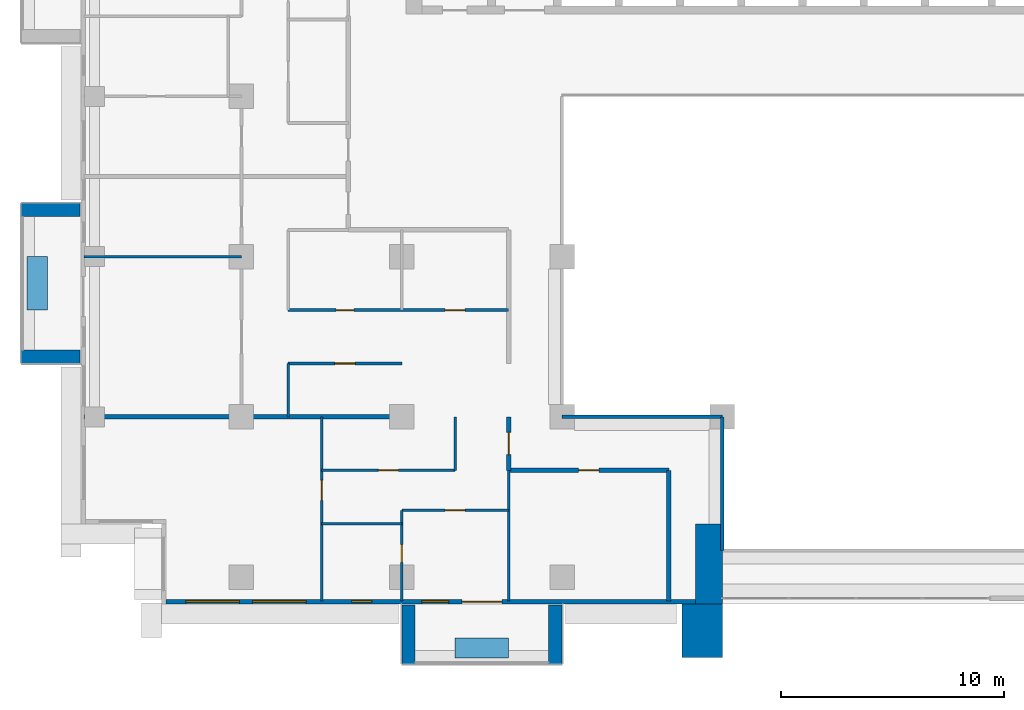
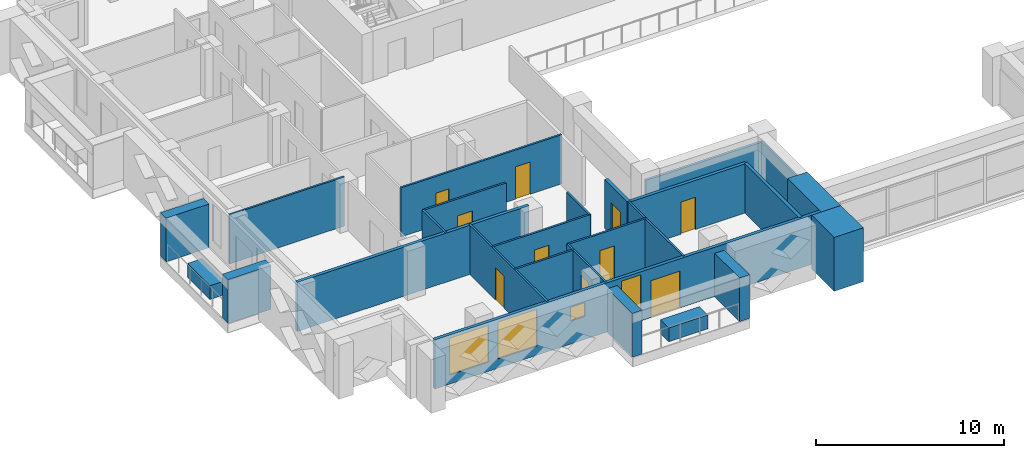
# One storey, part 6 of 20: 26 walls, 10 doors, 4 windows, 14 openings.
"""IFC4 building model written with IfcOpenShell, lengths in metres."""

from ifc_helpers import new_model, si_unit, direction, frame, frame_2d, origin, place, context, subcontext, project, spatial, rectangle, extrude, material, layer, layer_set, type_object, element, fill, save


model = new_model("IFC4")

# Units and contexts
model_context = context("Model", 3, precision=1e-05, world=origin(), true_north=direction((0.0, 1.0)))
body_context = subcontext(model_context, "Body", "Model", "MODEL_VIEW")
ifc_project = project(units=[si_unit("LENGTHUNIT", "METRE"), si_unit("AREAUNIT", "SQUARE_METRE"), si_unit("VOLUMEUNIT", "CUBIC_METRE"), si_unit("PLANEANGLEUNIT", "RADIAN"), si_unit("MASSUNIT", "GRAM", prefix="KILO")], contexts=[model_context])

# Site, building, storey
site_placement = place(None, origin())
site = spatial("IfcSite", under=ifc_project, at=site_placement, CompositionType="ELEMENT")
building_placement = place(site_placement, origin())
building = spatial("IfcBuilding", under=site, at=building_placement, Name="Saffron Iwan Residences", CompositionType="ELEMENT")
storey_placement = place(building_placement, frame((0.0, 0.0, 127.0)))
storey = spatial("IfcBuildingStorey", under=building, at=storey_placement, Name="L33", CompositionType="ELEMENT", Elevation=127.0)

# Walls
ifc_material_1 = material(Name="Fire-rated glazing", Category="glass")
ifc_layer_1 = layer(ifc_material_1, 0.14990234375)
ifc_layer_set_1 = layer_set([ifc_layer_1], Name="Fire-rated glazing")
wall_type_1 = type_object("IfcWallType", Name="Atrium glazed screen 150", PredefinedType="SOLIDWALL", material=ifc_layer_set_1)
wall_1_placement = place(storey_placement, frame((36.0, 48.0, 0.0), z_axis=(0.0, 0.0, 1.0), x_axis=(1.0, 0.0, 0.0)))
element("IfcWall", 1, at=wall_1_placement, inside=storey, type_object=wall_type_1, Name="W-L33-SCREEN-h48-36", PredefinedType="SOLIDWALL", context=body_context, shape_type="SweptSolid", body=[
    extrude(rectangle(XDim=7.199951171875, YDim=0.14990234375, at=frame_2d((3.60009765625, 0.0))), origin(), (0.0, 0.0, 1.0), 2.300048828125),
])
wall_2_placement = place(storey_placement, frame((43.199951171875, 42.0, 0.0), z_axis=(0.0, 0.0, 1.0), x_axis=(0.0, 1.0, 0.0)))
element("IfcWall", 2, at=wall_2_placement, inside=storey, type_object=wall_type_1, Name="W-L33-SCREEN-v43.2-42", PredefinedType="SOLIDWALL", context=body_context, shape_type="SweptSolid", body=[
    extrude(rectangle(XDim=6.0, YDim=0.14990234375, at=frame_2d((3.0, 0.0))), origin(), (0.0, 0.0, 1.0), 2.300048828125),
])
ifc_material_2 = material(Name="Concrete C50/60 white painted", Category="concrete")
ifc_layer_2 = layer(ifc_material_2, 0.60009765625)
ifc_layer_set_2 = layer_set([ifc_layer_2], Name="Concrete C50/60 white painted")
wall_type_2 = type_object("IfcWallType", Name="BALCONY FIN 600", PredefinedType="SOLIDWALL", material=ifc_layer_set_2)
for number, where, z_axis, x_axis, name in (
    (3, (14.35009765625, 57.300048828125, 0.0), (0.0, 0.0, 1.0), (-1.0, 0.0, 0.0), "Balcony fin L33 F8-1a"),
    (4, (14.35009765625, 50.699951171875, 0.0), (0.0, 0.0, 1.0), (-1.0, 0.0, 0.0), "Balcony fin L33 F8-1b"),
    (5, (29.10009765625, 39.550048828125, 0.0), (0.0, 0.0, 1.0), (0.0, -1.0, 0.0), "Balcony fin L33 11-0a"),
    (6, (35.699951171875, 39.550048828125, 0.0), (0.0, 0.0, 1.0), (0.0, -1.0, 0.0), "Balcony fin L33 11-0b"),
):
    element("IfcWall", number, at=place(storey_placement, frame(where, z_axis=z_axis, x_axis=x_axis)), inside=storey, type_object=wall_type_2, Name=name, PredefinedType="SOLIDWALL", context=body_context, shape_type="SweptSolid", body=[
        extrude(rectangle(XDim=2.650146484375, YDim=0.60009765625, at=frame_2d((1.3251953125, 0.0))), origin(), (0.0, 0.0, 1.0), 2.85009765625),
    ])
ifc_material_3 = material(Name="Concrete C35/45 white painted", Category="concrete")
ifc_layer_3 = layer(ifc_material_3, 0.14990234375)
ifc_layer_set_3 = layer_set([ifc_layer_3], Name="Concrete C35/45 white painted")
wall_type_3 = type_object("IfcWallType", Name="BALCONY PLANTER", PredefinedType="SOLIDWALL", material=ifc_layer_set_3)
wall_3_placement = place(storey_placement, frame((12.425048828125, 55.199951171875, 0.0), z_axis=(0.0, 0.0, 1.0), x_axis=(0.0, -1.0, 0.0)))
element("IfcWall", 7, at=wall_3_placement, inside=storey, type_object=wall_type_3, Name="PLANTER L33 F8-1", PredefinedType="SOLIDWALL", context=body_context, shape_type="SweptSolid", body=[
    extrude(rectangle(XDim=2.39990234375, YDim=0.89990234375, at=frame_2d((1.199951171875, 0.0))), origin(), (0.0, 0.0, 1.0), 0.89990234375),
])
wall_4_placement = place(storey_placement, frame((31.199951171875, 37.625, 0.0), z_axis=(0.0, 0.0, 1.0), x_axis=(1.0, 0.0, 0.0)))
element("IfcWall", 8, at=wall_4_placement, inside=storey, type_object=wall_type_3, Name="PLANTER L33 11-0", PredefinedType="SOLIDWALL", context=body_context, shape_type="SweptSolid", body=[
    extrude(rectangle(XDim=2.400146484375, YDim=0.89990234375, at=frame_2d((1.2001953125, 0.0))), origin(), (0.0, 0.0, 1.0), 0.89990234375),
])

# Wall, openings, door, windows
ifc_material_4 = material(Name="Concrete C40/50", Category="concrete")
ifc_layer_4 = layer(ifc_material_4, 0.199951171875)
ifc_layer_set_4 = layer_set([ifc_layer_4], Name="Concrete C40/50")
wall_type_4 = type_object("IfcWallType", Name="EXTERNAL WALL 200", PredefinedType="SOLIDWALL", material=ifc_layer_set_4)
wall_5_placement = place(storey_placement, frame((18.199951171875, 39.699951171875, 0.0), z_axis=(0.0, 0.0, 1.0), x_axis=(1.0, 0.0, 0.0)))
wall_5 = element("IfcWall", 9, at=wall_5_placement, inside=storey, type_object=wall_type_4, Name="External wall L33 F11.0", PredefinedType="SOLIDWALL", context=body_context, shape_type="SweptSolid", body=[
    extrude(rectangle(XDim=23.800048828125, YDim=0.199951171875, at=frame_2d((11.89990234375, 0.0))), origin(), (0.0, 0.0, 1.0), 3.199951171875),
])
opening_1_placement = place(wall_5_placement, frame((13.300048828125, 0.0, 0.0)))
opening_1 = element("IfcOpeningElement", 10, at=opening_1_placement, cuts=wall_5, Name="Opening BD1", PredefinedType="OPENING", context=body_context, shape_type="SweptSolid", body=[
    extrude(rectangle(XDim=1.800048828125, YDim=2.39990234375, at=frame_2d((0.89990234375, 1.199951171875))), frame((0.0, 0.10986328125, 0.0), z_axis=(0.0, -1.0, 0.0), x_axis=(1.0, 0.0, 0.0)), (0.0, 0.0, 1.0), 0.219970703125),
])
opening_2_placement = place(wall_5_placement, frame((0.89990234375, 0.0, 0.60009765625)))
opening_2 = element("IfcOpeningElement", 11, at=opening_2_placement, cuts=wall_5, Name="Opening W1", PredefinedType="OPENING", context=body_context, shape_type="SweptSolid", body=[
    extrude(rectangle(XDim=2.39990234375, YDim=2.39990234375, at=frame_2d((1.199951171875, 1.199951171875))), frame((0.0, 0.10986328125, 0.0), z_axis=(0.0, -1.0, 0.0), x_axis=(1.0, 0.0, 0.0)), (0.0, 0.0, 1.0), 0.219970703125),
])
opening_3_placement = place(wall_5_placement, frame((3.89990234375, 0.0, 0.60009765625)))
opening_3 = element("IfcOpeningElement", 12, at=opening_3_placement, cuts=wall_5, Name="Opening W1", PredefinedType="OPENING", context=body_context, shape_type="SweptSolid", body=[
    extrude(rectangle(XDim=2.39990234375, YDim=2.39990234375, at=frame_2d((1.199951171875, 1.199951171875))), frame((0.0, 0.10986328125, 0.0), z_axis=(0.0, -1.0, 0.0), x_axis=(1.0, 0.0, 0.0)), (0.0, 0.0, 1.0), 0.219970703125),
])
opening_4_placement = place(wall_5_placement, frame((11.5, 0.0, 0.60009765625)))
opening_4 = element("IfcOpeningElement", 13, at=opening_4_placement, cuts=wall_5, Name="Opening W3", PredefinedType="OPENING", context=body_context, shape_type="SweptSolid", body=[
    extrude(rectangle(XDim=1.199951171875, YDim=2.39990234375, at=frame_2d((0.60009765625, 1.199951171875))), frame((0.0, 0.10986328125, 0.0), z_axis=(0.0, -1.0, 0.0), x_axis=(1.0, 0.0, 0.0)), (0.0, 0.0, 1.0), 0.219970703125),
])
opening_5_placement = place(wall_5_placement, frame((8.35009765625, 0.0, 1.5)))
opening_5 = element("IfcOpeningElement", 14, at=opening_5_placement, cuts=wall_5, Name="Opening W6", PredefinedType="OPENING", context=body_context, shape_type="SweptSolid", body=[
    extrude(rectangle(XDim=0.89990234375, YDim=0.89990234375, at=frame_2d((0.449951171875, 0.449951171875))), frame((0.0, 0.10986328125, 0.0), z_axis=(0.0, -1.0, 0.0), x_axis=(1.0, 0.0, 0.0)), (0.0, 0.0, 1.0), 0.219970703125),
])
ifc_material_5 = material(Name="Clear glass, laminated double glazed", Category="glass")
door_type_1 = type_object("IfcDoorType", Name="BALCONY DOOR 1800 x 2400", OperationType="DOUBLE_DOOR_SLIDING", PredefinedType="DOOR", material=ifc_material_5)
door_1_placement = place(opening_1_placement, origin())
door_1 = element("IfcDoor", 15, at=door_1_placement, inside=storey, type_object=door_type_1, Name="Balcony door L33 F11.0", OperationType="DOUBLE_DOOR_SLIDING", OverallHeight=2.39990234375, OverallWidth=1.800048828125, PredefinedType="DOOR", context=body_context, shape_type="SweptSolid", body=[
    extrude(rectangle(XDim=1.800048828125, YDim=2.39990234375, at=frame_2d((0.89990234375, 1.199951171875))), frame((0.0, 0.02490234375, 0.0), z_axis=(0.0, -1.0, 0.0), x_axis=(1.0, 0.0, 0.0)), (0.0, 0.0, 1.0), 0.050048828125),
])
fill(opening_1, door_1)
window_type_1 = type_object("IfcWindowType", Name="WINDOW 1200 x 2400", PartitioningType="SINGLE_PANEL", PredefinedType="WINDOW", material=ifc_material_5)
window_1_placement = place(opening_4_placement, origin())
window_1 = element("IfcWindow", 16, at=window_1_placement, inside=storey, type_object=window_type_1, Name="Window L33 F11.3", OverallHeight=2.39990234375, OverallWidth=1.199951171875, PartitioningType="SINGLE_PANEL", PredefinedType="WINDOW", context=body_context, shape_type="SweptSolid", body=[
    extrude(rectangle(XDim=1.199951171875, YDim=2.39990234375, at=frame_2d((0.60009765625, 1.199951171875))), frame((0.0, 0.030029296875, 0.0), z_axis=(0.0, -1.0, 0.0), x_axis=(1.0, 0.0, 0.0)), (0.0, 0.0, 1.0), 0.06005859375),
])
fill(opening_4, window_1)
window_type_2 = type_object("IfcWindowType", Name="WINDOW 2400 x 2400", PartitioningType="DOUBLE_PANEL_VERTICAL", PredefinedType="WINDOW", material=ifc_material_5)
window_2_placement = place(opening_2_placement, origin())
window_2 = element("IfcWindow", 17, at=window_2_placement, inside=storey, type_object=window_type_2, Name="Window L33 F11.1", OverallHeight=2.39990234375, OverallWidth=2.39990234375, PartitioningType="DOUBLE_PANEL_VERTICAL", PredefinedType="WINDOW", context=body_context, shape_type="SweptSolid", body=[
    extrude(rectangle(XDim=2.39990234375, YDim=2.39990234375, at=frame_2d((1.199951171875, 1.199951171875))), frame((0.0, 0.030029296875, 0.0), z_axis=(0.0, -1.0, 0.0), x_axis=(1.0, 0.0, 0.0)), (0.0, 0.0, 1.0), 0.06005859375),
])
fill(opening_2, window_2)
window_3_placement = place(opening_3_placement, origin())
window_3 = element("IfcWindow", 18, at=window_3_placement, inside=storey, type_object=window_type_2, Name="Window L33 F11.2", OverallHeight=2.39990234375, OverallWidth=2.39990234375, PartitioningType="DOUBLE_PANEL_VERTICAL", PredefinedType="WINDOW", context=body_context, shape_type="SweptSolid", body=[
    extrude(rectangle(XDim=2.39990234375, YDim=2.39990234375, at=frame_2d((1.199951171875, 1.199951171875))), frame((0.0, 0.030029296875, 0.0), z_axis=(0.0, -1.0, 0.0), x_axis=(1.0, 0.0, 0.0)), (0.0, 0.0, 1.0), 0.06005859375),
])
fill(opening_3, window_3)
window_type_3 = type_object("IfcWindowType", Name="WINDOW 900 x 900 BATH", PartitioningType="SINGLE_PANEL", PredefinedType="WINDOW", material=ifc_material_5)
window_4_placement = place(opening_5_placement, origin())
window_4 = element("IfcWindow", 19, at=window_4_placement, inside=storey, type_object=window_type_3, Name="Window L33 F11.4", OverallHeight=0.89990234375, OverallWidth=0.89990234375, PartitioningType="SINGLE_PANEL", PredefinedType="WINDOW", context=body_context, shape_type="SweptSolid", body=[
    extrude(rectangle(XDim=0.89990234375, YDim=0.89990234375, at=frame_2d((0.449951171875, 0.449951171875))), frame((0.0, 0.030029296875, 0.0), z_axis=(0.0, -1.0, 0.0), x_axis=(1.0, 0.0, 0.0)), (0.0, 0.0, 1.0), 0.06005859375),
])
fill(opening_5, window_4)

# Walls
ifc_material_6 = material(Name="Fire-rated gypsum board wall")
ifc_layer_5 = layer(ifc_material_6, 0.199951171875)
ifc_layer_set_5 = layer_set([ifc_layer_5], Name="Fire-rated gypsum board wall")
wall_type_5 = type_object("IfcWallType", Name="Flat demising wall 200", PredefinedType="SOLIDWALL", material=ifc_layer_set_5)
wall_6_placement = place(storey_placement, frame((14.52490234375, 48.0, 0.0), z_axis=(0.0, 0.0, 1.0), x_axis=(1.0, 0.0, 0.0)))
element("IfcWall", 20, at=wall_6_placement, inside=storey, type_object=wall_type_5, Name="W-L33-DEMISE-h48-14.525", PredefinedType="SOLIDWALL", context=body_context, shape_type="SweptSolid", body=[
    extrude(rectangle(XDim=14.275146484375, YDim=0.199951171875, at=frame_2d((7.1376953125, 0.0))), origin(), (0.0, 0.0, 1.0), 3.199951171875),
])
ifc_material_7 = material(Name="Gypsum board partition")
ifc_layer_6 = layer(ifc_material_7, 0.1201171875)
ifc_layer_set_6 = layer_set([ifc_layer_6], Name="Gypsum board partition")
wall_type_6 = type_object("IfcWallType", Name="Flat partition 120", PredefinedType="PARTITIONING", material=ifc_layer_set_6)
wall_7_placement = place(storey_placement, frame((25.199951171875, 43.199951171875, 0.0), z_axis=(0.0, 0.0, 1.0), x_axis=(1.0, 0.0, 0.0)))
element("IfcWall", 21, at=wall_7_placement, inside=storey, type_object=wall_type_6, Name="W-L33-PART-h43.2-25.2", PredefinedType="PARTITIONING", context=body_context, shape_type="SweptSolid", body=[
    extrude(rectangle(XDim=3.60009765625, YDim=0.1201171875, at=frame_2d((1.800048828125, 0.0))), origin(), (0.0, 0.0, 1.0), 3.199951171875),
])

# Wall, opening, door
wall_8_placement = place(storey_placement, frame((28.800048828125, 43.800048828125, 0.0), z_axis=(0.0, 0.0, 1.0), x_axis=(1.0, 0.0, 0.0)))
wall_8 = element("IfcWall", 22, at=wall_8_placement, inside=storey, type_object=wall_type_6, Name="W-L33-PART-h43.8-28.8", PredefinedType="PARTITIONING", context=body_context, shape_type="SweptSolid", body=[
    extrude(rectangle(XDim=4.800048828125, YDim=0.1201171875, at=frame_2d((2.39990234375, 0.0))), origin(), (0.0, 0.0, 1.0), 3.199951171875),
])
opening_6_placement = place(wall_8_placement, frame((1.949951171875, 0.0, 0.0)))
opening_6 = element("IfcOpeningElement", 23, at=opening_6_placement, cuts=wall_8, Name="Opening FD2", PredefinedType="OPENING", context=body_context, shape_type="SweptSolid", body=[
    extrude(rectangle(XDim=0.89990234375, YDim=2.10009765625, at=frame_2d((0.449951171875, 1.050048828125))), frame((0.0, 0.070068359375, 0.0), z_axis=(0.0, -1.0, 0.0), x_axis=(1.0, 0.0, 0.0)), (0.0, 0.0, 1.0), 0.14013671875),
])
ifc_material_8 = material(Name="Timber door", Category="wood")
door_type_2 = type_object("IfcDoorType", Name="Flat door 900", OperationType="NOTDEFINED", PredefinedType="DOOR", material=ifc_material_8)
door_2_placement = place(opening_6_placement, origin())
door_2 = element("IfcDoor", 24, at=door_2_placement, inside=storey, type_object=door_type_2, Name="Door L33-003", OperationType="SINGLE_SWING_LEFT", OverallHeight=2.10009765625, OverallWidth=0.89990234375, PredefinedType="DOOR", context=body_context, shape_type="SweptSolid", body=[
    extrude(rectangle(XDim=0.89990234375, YDim=2.10009765625, at=frame_2d((0.449951171875, 1.050048828125))), frame((0.0, 0.02490234375, 0.0), z_axis=(0.0, -1.0, 0.0), x_axis=(1.0, 0.0, 0.0)), (0.0, 0.0, 1.0), 0.050048828125),
])
fill(opening_6, door_2)

wall_9_placement = place(storey_placement, frame((25.199951171875, 45.60009765625, 0.0), z_axis=(0.0, 0.0, 1.0), x_axis=(1.0, 0.0, 0.0)))
wall_9 = element("IfcWall", 25, at=wall_9_placement, inside=storey, type_object=wall_type_6, Name="W-L33-PART-h45.6-25.2", PredefinedType="PARTITIONING", context=body_context, shape_type="SweptSolid", body=[
    extrude(rectangle(XDim=6.0, YDim=0.1201171875, at=frame_2d((3.0, 0.0))), origin(), (0.0, 0.0, 1.0), 3.199951171875),
])
opening_7_placement = place(wall_9_placement, frame((2.550048828125, 0.0, 0.0)))
opening_7 = element("IfcOpeningElement", 26, at=opening_7_placement, cuts=wall_9, Name="Opening FD2", PredefinedType="OPENING", context=body_context, shape_type="SweptSolid", body=[
    extrude(rectangle(XDim=0.89990234375, YDim=2.10009765625, at=frame_2d((0.449951171875, 1.050048828125))), frame((0.0, 0.070068359375, 0.0), z_axis=(0.0, -1.0, 0.0), x_axis=(1.0, 0.0, 0.0)), (0.0, 0.0, 1.0), 0.14013671875),
])
door_3_placement = place(opening_7_placement, origin())
door_3 = element("IfcDoor", 27, at=door_3_placement, inside=storey, type_object=door_type_2, Name="Door L33-005", OperationType="SINGLE_SWING_LEFT", OverallHeight=2.10009765625, OverallWidth=0.89990234375, PredefinedType="DOOR", context=body_context, shape_type="SweptSolid", body=[
    extrude(rectangle(XDim=0.89990234375, YDim=2.10009765625, at=frame_2d((0.449951171875, 1.050048828125))), frame((0.0, 0.02490234375, 0.0), z_axis=(0.0, -1.0, 0.0), x_axis=(1.0, 0.0, 0.0)), (0.0, 0.0, 1.0), 0.050048828125),
])
fill(opening_7, door_3)

wall_10_placement = place(storey_placement, frame((23.699951171875, 50.39990234375, 0.0), z_axis=(0.0, 0.0, 1.0), x_axis=(1.0, 0.0, 0.0)))
wall_10 = element("IfcWall", 28, at=wall_10_placement, inside=storey, type_object=wall_type_6, Name="W-L33-PART-h50.4-23.7", PredefinedType="PARTITIONING", context=body_context, shape_type="SweptSolid", body=[
    extrude(rectangle(XDim=5.10009765625, YDim=0.1201171875, at=frame_2d((2.550048828125, 0.0))), origin(), (0.0, 0.0, 1.0), 3.199951171875),
])
opening_8_placement = place(wall_10_placement, frame((2.10009765625, 0.0, 0.0)))
opening_8 = element("IfcOpeningElement", 29, at=opening_8_placement, cuts=wall_10, Name="Opening FD2", PredefinedType="OPENING", context=body_context, shape_type="SweptSolid", body=[
    extrude(rectangle(XDim=0.89990234375, YDim=2.10009765625, at=frame_2d((0.449951171875, 1.050048828125))), frame((0.0, 0.070068359375, 0.0), z_axis=(0.0, -1.0, 0.0), x_axis=(1.0, 0.0, 0.0)), (0.0, 0.0, 1.0), 0.14013671875),
])
door_4_placement = place(opening_8_placement, origin())
door_4 = element("IfcDoor", 30, at=door_4_placement, inside=storey, type_object=door_type_2, Name="Door L33-010", OperationType="SINGLE_SWING_RIGHT", OverallHeight=2.10009765625, OverallWidth=0.89990234375, PredefinedType="DOOR", context=body_context, shape_type="SweptSolid", body=[
    extrude(rectangle(XDim=0.89990234375, YDim=2.10009765625, at=frame_2d((0.449951171875, 1.050048828125))), frame((0.0, 0.02490234375, 0.0), z_axis=(0.0, -1.0, 0.0), x_axis=(1.0, 0.0, 0.0)), (0.0, 0.0, 1.0), 0.050048828125),
])
fill(opening_8, door_4)

# Wall, openings, doors
wall_11_placement = place(storey_placement, frame((23.699951171875, 52.800048828125, 0.0), z_axis=(0.0, 0.0, 1.0), x_axis=(1.0, 0.0, 0.0)))
wall_11 = element("IfcWall", 31, at=wall_11_placement, inside=storey, type_object=wall_type_6, Name="W-L33-PART-h52.8-23.7", PredefinedType="PARTITIONING", context=body_context, shape_type="SweptSolid", body=[
    extrude(rectangle(XDim=9.900146484375, YDim=0.1201171875, at=frame_2d((4.9501953125, 0.0))), origin(), (0.0, 0.0, 1.0), 3.199951171875),
])
opening_9_placement = place(wall_11_placement, frame((2.14990234375, 0.0, 0.0)))
opening_9 = element("IfcOpeningElement", 32, at=opening_9_placement, cuts=wall_11, Name="Opening FD3", PredefinedType="OPENING", context=body_context, shape_type="SweptSolid", body=[
    extrude(rectangle(XDim=0.800048828125, YDim=2.10009765625, at=frame_2d((0.39990234375, 1.050048828125))), frame((0.0, 0.070068359375, 0.0), z_axis=(0.0, -1.0, 0.0), x_axis=(1.0, 0.0, 0.0)), (0.0, 0.0, 1.0), 0.14013671875),
])
opening_10_placement = place(wall_11_placement, frame((7.050048828125, 0.0, 0.0)))
opening_10 = element("IfcOpeningElement", 33, at=opening_10_placement, cuts=wall_11, Name="Opening FD2", PredefinedType="OPENING", context=body_context, shape_type="SweptSolid", body=[
    extrude(rectangle(XDim=0.89990234375, YDim=2.10009765625, at=frame_2d((0.449951171875, 1.050048828125))), frame((0.0, 0.070068359375, 0.0), z_axis=(0.0, -1.0, 0.0), x_axis=(1.0, 0.0, 0.0)), (0.0, 0.0, 1.0), 0.14013671875),
])
door_type_3 = type_object("IfcDoorType", Name="Bathroom door 800", OperationType="NOTDEFINED", PredefinedType="DOOR", material=ifc_material_8)
door_5_placement = place(opening_9_placement, origin())
door_5 = element("IfcDoor", 34, at=door_5_placement, inside=storey, type_object=door_type_3, Name="Door L33-011", OperationType="SINGLE_SWING_LEFT", OverallHeight=2.10009765625, OverallWidth=0.800048828125, PredefinedType="DOOR", context=body_context, shape_type="SweptSolid", body=[
    extrude(rectangle(XDim=0.800048828125, YDim=2.10009765625, at=frame_2d((0.39990234375, 1.050048828125))), frame((0.0, 0.02490234375, 0.0), z_axis=(0.0, -1.0, 0.0), x_axis=(1.0, 0.0, 0.0)), (0.0, 0.0, 1.0), 0.050048828125),
])
fill(opening_9, door_5)
door_6_placement = place(opening_10_placement, origin())
door_6 = element("IfcDoor", 35, at=door_6_placement, inside=storey, type_object=door_type_2, Name="Door L33-012", OperationType="SINGLE_SWING_LEFT", OverallHeight=2.10009765625, OverallWidth=0.89990234375, PredefinedType="DOOR", context=body_context, shape_type="SweptSolid", body=[
    extrude(rectangle(XDim=0.89990234375, YDim=2.10009765625, at=frame_2d((0.449951171875, 1.050048828125))), frame((0.0, 0.02490234375, 0.0), z_axis=(0.0, -1.0, 0.0), x_axis=(1.0, 0.0, 0.0)), (0.0, 0.0, 1.0), 0.050048828125),
])
fill(opening_10, door_6)

# Walls
wall_12_placement = place(storey_placement, frame((14.52490234375, 55.199951171875, 0.0), z_axis=(0.0, 0.0, 1.0), x_axis=(1.0, 0.0, 0.0)))
element("IfcWall", 36, at=wall_12_placement, inside=storey, type_object=wall_type_6, Name="W-L33-PART-h55.2-14.525", PredefinedType="PARTITIONING", context=body_context, shape_type="SweptSolid", body=[
    extrude(rectangle(XDim=7.0751953125, YDim=0.1201171875, at=frame_2d((3.53759765625, 0.0))), origin(), (0.0, 0.0, 1.0), 3.199951171875),
])
wall_13_placement = place(storey_placement, frame((23.699951171875, 48.0, 0.0), z_axis=(0.0, 0.0, 1.0), x_axis=(0.0, 1.0, 0.0)))
element("IfcWall", 37, at=wall_13_placement, inside=storey, type_object=wall_type_6, Name="W-L33-PART-v23.7-48", PredefinedType="PARTITIONING", context=body_context, shape_type="SweptSolid", body=[
    extrude(rectangle(XDim=2.39990234375, YDim=0.1201171875, at=frame_2d((1.199951171875, 0.0))), origin(), (0.0, 0.0, 1.0), 3.199951171875),
])

# Wall, opening, door
wall_14_placement = place(storey_placement, frame((25.199951171875, 39.72509765625, 0.0), z_axis=(0.0, 0.0, 1.0), x_axis=(0.0, 1.0, 0.0)))
wall_14 = element("IfcWall", 38, at=wall_14_placement, inside=storey, type_object=wall_type_6, Name="W-L33-PART-v25.2-39.725", PredefinedType="PARTITIONING", context=body_context, shape_type="SweptSolid", body=[
    extrude(rectangle(XDim=8.27490234375, YDim=0.1201171875, at=frame_2d((4.137451171875, 0.0))), origin(), (0.0, 0.0, 1.0), 3.199951171875),
])
opening_11_placement = place(wall_14_placement, frame((4.52490234375, 0.0, 0.0)))
opening_11 = element("IfcOpeningElement", 39, at=opening_11_placement, cuts=wall_14, Name="Opening FD2", PredefinedType="OPENING", context=body_context, shape_type="SweptSolid", body=[
    extrude(rectangle(XDim=0.89990234375, YDim=2.10009765625, at=frame_2d((0.449951171875, 1.050048828125))), frame((0.0, 0.070068359375, 0.0), z_axis=(0.0, -1.0, 0.0), x_axis=(1.0, 0.0, 0.0)), (0.0, 0.0, 1.0), 0.14013671875),
])
door_7_placement = place(opening_11_placement, origin())
door_7 = element("IfcDoor", 40, at=door_7_placement, inside=storey, type_object=door_type_2, Name="Door L33-002", OperationType="SINGLE_SWING_LEFT", OverallHeight=2.10009765625, OverallWidth=0.89990234375, PredefinedType="DOOR", context=body_context, shape_type="SweptSolid", body=[
    extrude(rectangle(XDim=0.89990234375, YDim=2.10009765625, at=frame_2d((0.449951171875, 1.050048828125))), frame((0.0, 0.02490234375, 0.0), z_axis=(0.0, -1.0, 0.0), x_axis=(1.0, 0.0, 0.0)), (0.0, 0.0, 1.0), 0.050048828125),
])
fill(opening_11, door_7)

wall_15_placement = place(storey_placement, frame((28.800048828125, 39.72509765625, 0.0), z_axis=(0.0, 0.0, 1.0), x_axis=(0.0, 1.0, 0.0)))
wall_15 = element("IfcWall", 41, at=wall_15_placement, inside=storey, type_object=wall_type_6, Name="W-L33-PART-v28.8-39.725", PredefinedType="PARTITIONING", context=body_context, shape_type="SweptSolid", body=[
    extrude(rectangle(XDim=4.074951171875, YDim=0.1201171875, at=frame_2d((2.03759765625, 0.0))), origin(), (0.0, 0.0, 1.0), 3.199951171875),
])
opening_12_placement = place(wall_15_placement, frame((1.737548828125, 0.0, 0.0)))
opening_12 = element("IfcOpeningElement", 42, at=opening_12_placement, cuts=wall_15, Name="Opening FD3", PredefinedType="OPENING", context=body_context, shape_type="SweptSolid", body=[
    extrude(rectangle(XDim=0.800048828125, YDim=2.10009765625, at=frame_2d((0.39990234375, 1.050048828125))), frame((0.0, 0.070068359375, 0.0), z_axis=(0.0, -1.0, 0.0), x_axis=(1.0, 0.0, 0.0)), (0.0, 0.0, 1.0), 0.14013671875),
])
door_8_placement = place(opening_12_placement, origin())
door_8 = element("IfcDoor", 43, at=door_8_placement, inside=storey, type_object=door_type_3, Name="Door L33-004", OperationType="SINGLE_SWING_LEFT", OverallHeight=2.10009765625, OverallWidth=0.800048828125, PredefinedType="DOOR", context=body_context, shape_type="SweptSolid", body=[
    extrude(rectangle(XDim=0.800048828125, YDim=2.10009765625, at=frame_2d((0.39990234375, 1.050048828125))), frame((0.0, 0.02490234375, 0.0), z_axis=(0.0, -1.0, 0.0), x_axis=(1.0, 0.0, 0.0)), (0.0, 0.0, 1.0), 0.050048828125),
])
fill(opening_12, door_8)

# Walls
wall_16_placement = place(storey_placement, frame((31.199951171875, 45.60009765625, 0.0), z_axis=(0.0, 0.0, 1.0), x_axis=(0.0, 1.0, 0.0)))
element("IfcWall", 44, at=wall_16_placement, inside=storey, type_object=wall_type_6, Name="W-L33-PART-v31.2-45.6", PredefinedType="PARTITIONING", context=body_context, shape_type="SweptSolid", body=[
    extrude(rectangle(XDim=2.39990234375, YDim=0.1201171875, at=frame_2d((1.199951171875, 0.0))), origin(), (0.0, 0.0, 1.0), 3.199951171875),
])
wall_17_placement = place(storey_placement, frame((33.60009765625, 39.72509765625, 0.0), z_axis=(0.0, 0.0, 1.0), x_axis=(0.0, 1.0, 0.0)))
element("IfcWall", 45, at=wall_17_placement, inside=storey, type_object=wall_type_6, Name="W-L33-PART-v33.6-39.725", PredefinedType="PARTITIONING", context=body_context, shape_type="SweptSolid", body=[
    extrude(rectangle(XDim=5.875, YDim=0.1201171875, at=frame_2d((2.9375, 0.0))), origin(), (0.0, 0.0, 1.0), 3.199951171875),
])

# Wall, opening, door
ifc_layer_7 = layer(ifc_material_6, 0.199951171875)
ifc_layer_set_7 = layer_set([ifc_layer_7], Name="Fire-rated gypsum board wall")
wall_type_7 = type_object("IfcWallType", Name="Gallery wall 200", PredefinedType="SOLIDWALL", material=ifc_layer_set_7)
wall_18_placement = place(storey_placement, frame((33.60009765625, 45.60009765625, 0.0), z_axis=(0.0, 0.0, 1.0), x_axis=(1.0, 0.0, 0.0)))
wall_18 = element("IfcWall", 46, at=wall_18_placement, inside=storey, type_object=wall_type_7, Name="W-L33-CORR-h45.6-33.6", PredefinedType="SOLIDWALL", context=body_context, shape_type="SweptSolid", body=[
    extrude(rectangle(XDim=7.199951171875, YDim=0.199951171875, at=frame_2d((3.60009765625, 0.0))), origin(), (0.0, 0.0, 1.0), 3.199951171875),
])
opening_13_placement = place(wall_18_placement, frame((3.14990234375, 0.0, 0.0)))
opening_13 = element("IfcOpeningElement", 47, at=opening_13_placement, cuts=wall_18, Name="Opening FD2", PredefinedType="OPENING", context=body_context, shape_type="SweptSolid", body=[
    extrude(rectangle(XDim=0.89990234375, YDim=2.10009765625, at=frame_2d((0.449951171875, 1.050048828125))), frame((0.0, 0.10986328125, 0.0), z_axis=(0.0, -1.0, 0.0), x_axis=(1.0, 0.0, 0.0)), (0.0, 0.0, 1.0), 0.219970703125),
])
door_9_placement = place(opening_13_placement, origin())
door_9 = element("IfcDoor", 48, at=door_9_placement, inside=storey, type_object=door_type_2, Name="Door L33-006", OperationType="SINGLE_SWING_LEFT", OverallHeight=2.10009765625, OverallWidth=0.89990234375, PredefinedType="DOOR", context=body_context, shape_type="SweptSolid", body=[
    extrude(rectangle(XDim=0.89990234375, YDim=2.10009765625, at=frame_2d((0.449951171875, 1.050048828125))), frame((0.0, 0.02490234375, 0.0), z_axis=(0.0, -1.0, 0.0), x_axis=(1.0, 0.0, 0.0)), (0.0, 0.0, 1.0), 0.050048828125),
])
fill(opening_13, door_9)

wall_19_placement = place(storey_placement, frame((33.60009765625, 45.60009765625, 0.0), z_axis=(0.0, 0.0, 1.0), x_axis=(0.0, 1.0, 0.0)))
wall_19 = element("IfcWall", 49, at=wall_19_placement, inside=storey, type_object=wall_type_7, Name="W-L33-CORR-v33.6-45.6", PredefinedType="SOLIDWALL", context=body_context, shape_type="SweptSolid", body=[
    extrude(rectangle(XDim=2.39990234375, YDim=0.199951171875, at=frame_2d((1.199951171875, 0.0))), origin(), (0.0, 0.0, 1.0), 3.199951171875),
])
opening_14_placement = place(wall_19_placement, frame((0.699951171875, 0.0, 0.0)))
opening_14 = element("IfcOpeningElement", 50, at=opening_14_placement, cuts=wall_19, Name="Opening FD1", PredefinedType="OPENING", context=body_context, shape_type="SweptSolid", body=[
    extrude(rectangle(XDim=1.0, YDim=2.10009765625, at=frame_2d((0.5, 1.050048828125))), frame((0.0, 0.10986328125, 0.0), z_axis=(0.0, -1.0, 0.0), x_axis=(1.0, 0.0, 0.0)), (0.0, 0.0, 1.0), 0.219970703125),
])
ifc_material_9 = material(Name="Fire-rated timber door", Category="wood")
door_type_4 = type_object("IfcDoorType", Name="FD30S flat entrance door 1000", OperationType="NOTDEFINED", PredefinedType="DOOR", material=ifc_material_9)
door_10_placement = place(opening_14_placement, origin())
door_10 = element("IfcDoor", 51, at=door_10_placement, inside=storey, type_object=door_type_4, Name="Door L33-001", OperationType="SINGLE_SWING_RIGHT", OverallHeight=2.10009765625, OverallWidth=1.0, PredefinedType="DOOR", context=body_context, shape_type="SweptSolid", body=[
    extrude(rectangle(XDim=1.0, YDim=2.10009765625, at=frame_2d((0.5, 1.050048828125))), frame((0.0, 0.02490234375, 0.0), z_axis=(0.0, -1.0, 0.0), x_axis=(1.0, 0.0, 0.0)), (0.0, 0.0, 1.0), 0.050048828125),
])
fill(opening_14, door_10)

# Walls
wall_20_placement = place(storey_placement, frame((40.800048828125, 39.72509765625, 0.0), z_axis=(0.0, 0.0, 1.0), x_axis=(0.0, 1.0, 0.0)))
element("IfcWall", 52, at=wall_20_placement, inside=storey, type_object=wall_type_7, Name="W-L33-CORR-v40.8-39.725", PredefinedType="SOLIDWALL", context=body_context, shape_type="SweptSolid", body=[
    extrude(rectangle(XDim=5.875, YDim=0.199951171875, at=frame_2d((2.9375, 0.0))), origin(), (0.0, 0.0, 1.0), 3.199951171875),
])
ifc_material_10 = material(Name="Terracotta screen, precast concrete C40/50", Category="masonry")
ifc_layer_8 = layer(ifc_material_10, 1.800048828125)
ifc_layer_set_8 = layer_set([ifc_layer_8], Name="Terracotta screen, precast concrete C40/50")
wall_type_8 = type_object("IfcWallType", Name="Portal pier, precast concrete 1800 (tower)", PredefinedType="SOLIDWALL", material=ifc_layer_set_8)
wall_21_placement = place(storey_placement, frame((42.300048828125, 37.199951171875, -0.300048828125), z_axis=(0.0, 0.0, 1.0), x_axis=(0.0, 1.0, 0.0)))
element("IfcWall", 53, at=wall_21_placement, inside=storey, type_object=wall_type_8, Name="Portal pier W L33", PredefinedType="SOLIDWALL", context=body_context, shape_type="SweptSolid", body=[
    extrude(rectangle(XDim=2.400146484375, YDim=1.800048828125, at=frame_2d((1.2001953125, 0.0))), origin(), (0.0, 0.0, 1.0), 3.5),
])
ifc_material_11 = material(Name="Concrete C50/60", Category="concrete")
ifc_layer_9 = layer(ifc_material_11, 1.199951171875)
ifc_layer_set_9 = layer_set([ifc_layer_9], Name="Concrete C50/60")
wall_type_9 = type_object("IfcWallType", Name="WALL IWAN PIER 1200 C50/60 3200 HIGH", PredefinedType="SHEAR", material=ifc_layer_set_9)
wall_22_placement = place(storey_placement, frame((42.60009765625, 39.60009765625, 0.0), z_axis=(0.0, 0.0, 1.0), x_axis=(0.0, 1.0, 0.0)))
element("IfcWall", 54, at=wall_22_placement, inside=storey, type_object=wall_type_9, Name="IWAN PIER", PredefinedType="SHEAR", context=body_context, shape_type="SweptSolid", body=[
    extrude(rectangle(XDim=3.599853515625, YDim=1.199951171875, at=frame_2d((1.7998046875, 0.0))), origin(), (0.0, 0.0, 1.0), 3.199951171875),
])

save(model, "model.ifc")
